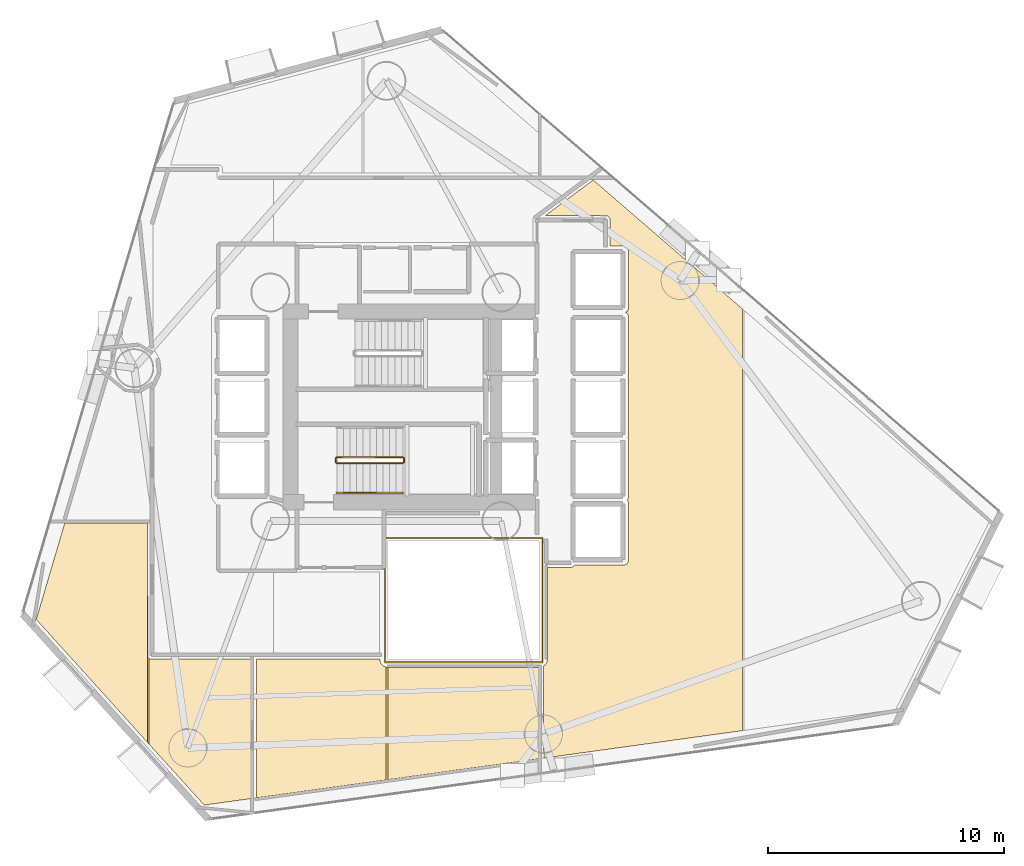
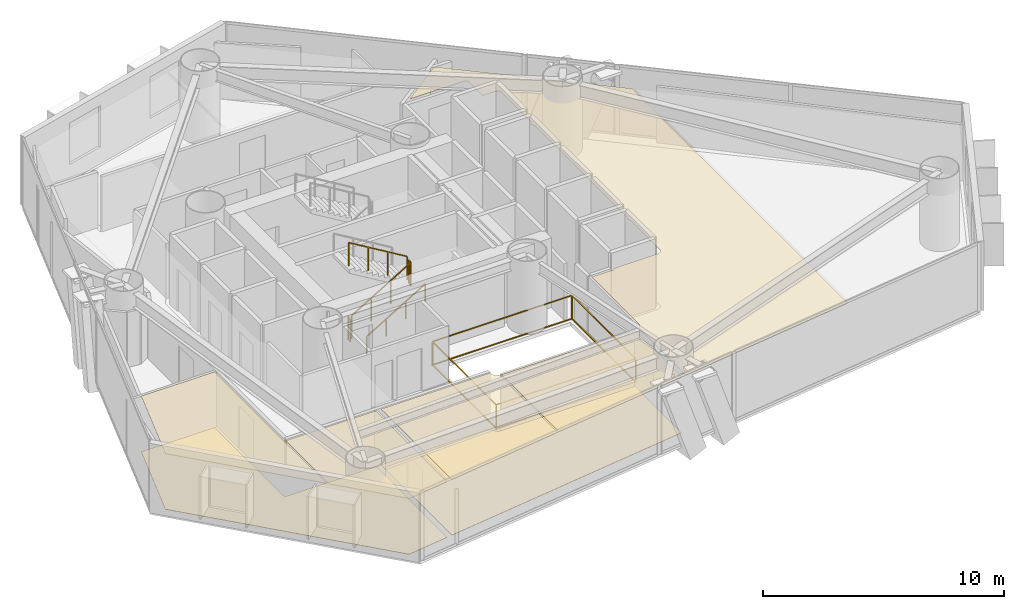
# One storey, part 20 of 23: 7 coverings, 6 railings.
"""IFC4 building model written with IfcOpenShell, lengths in metres."""

from ifc_helpers import new_model, si_unit, direction, frame, origin, origin_2d, place, context, subcontext, project, spatial, polyline, rectangle, outline, extrude, material, layer, layer_set, type_object, element, save


model = new_model("IFC4")

# Units and contexts
model_context = context("Model", 3, precision=1e-05, world=origin(), true_north=direction((0.0, 1.0)))
body_context = subcontext(model_context, "Body", "Model", "MODEL_VIEW")
ifc_project = project(units=[si_unit("LENGTHUNIT", "METRE"), si_unit("AREAUNIT", "SQUARE_METRE"), si_unit("VOLUMEUNIT", "CUBIC_METRE"), si_unit("PLANEANGLEUNIT", "RADIAN"), si_unit("MASSUNIT", "GRAM", prefix="KILO")], contexts=[model_context])

# Site, building, storey
site_placement = place(None, origin())
site = spatial("IfcSite", under=ifc_project, at=site_placement, CompositionType="ELEMENT")
building_placement = place(site_placement, origin())
building = spatial("IfcBuilding", under=site, at=building_placement, Name="Qianvela Tower", CompositionType="ELEMENT")
storey_placement = place(building_placement, frame((0.0, 0.0, 74.699951171875)))
storey = spatial("IfcBuildingStorey", under=building, at=storey_placement, Name="L18", CompositionType="ELEMENT", Elevation=74.699951171875)

# Coverings
ifc_material_1 = material(Name="Perforated Mineral Acoustic Ceiling Tile")
ifc_layer_1 = layer(ifc_material_1, 0.02490234375)
ifc_layer_set_1 = layer_set([ifc_layer_1], Name="Perforated Mineral Acoustic Ceiling Tile")
covering_type_1 = type_object("IfcCoveringType", Name="COV-CEIL-ACOUSTIC-25", PredefinedType="CEILING", material=ifc_layer_set_1)
covering_1_placement = place(storey_placement, frame((0.0, 0.0, 2.81494140625)))
element("IfcCovering", 1, at=covering_1_placement, inside=storey, type_object=covering_type_1, Name="L18 Acoustic Ceiling Bay 1 Tutorial Breakout Seminar L18-01", PredefinedType="CEILING", context=body_context, shape_type="SweptSolid", body=[
    extrude(outline(polyline([(23.381103515625, 23.778076171875), (23.381103515625, 14.468994140625), (18.668701171875, 19.67822265625), (19.881591796875, 23.778076171875), (23.381103515625, 23.778076171875)])), origin(), (0.0, 0.0, 1.0), 0.025146484375),
])
covering_2_placement = place(storey_placement, frame((0.0, 0.0, 2.81494140625)))
element("IfcCovering", 2, at=covering_2_placement, inside=storey, type_object=covering_type_1, Name="L18 Acoustic Ceiling Bay 2 Tutorial Breakout Seminar L18-01", PredefinedType="CEILING", context=body_context, shape_type="SweptSolid", body=[
    extrude(outline(polyline([(23.515869140625, 17.997802734375), (23.52392578125, 17.994384765625), (23.532470703125, 17.991943359375), (23.541259765625, 17.990478515625), (23.550048828125, 17.989990234375), (27.778076171875, 17.989990234375), (27.778076171875, 12.077392578125), (25.793212890625, 11.802978515625), (23.461181640625, 14.380615234375), (23.461181640625, 18.023681640625), (23.515869140625, 17.997802734375)])), origin(), (0.0, 0.0, 1.0), 0.025146484375),
])
covering_3_placement = place(storey_placement, frame((0.0, 0.0, 2.81494140625)))
element("IfcCovering", 3, at=covering_3_placement, inside=storey, type_object=covering_type_1, Name="L18 Acoustic Ceiling Bay 1 Project Huddle Conference L18-02", PredefinedType="CEILING", context=body_context, shape_type="SweptSolid", body=[
    extrude(outline(polyline([(33.24609375, 17.93505859375), (33.247314453125, 17.927978515625), (33.2490234375, 17.92138671875), (33.25146484375, 17.914794921875), (33.293212890625, 17.813720703125), (33.296630859375, 17.806640625), (33.30078125, 17.800048828125), (33.305419921875, 17.793701171875), (33.310546875, 17.787841796875), (33.387939453125, 17.710693359375), (33.39306640625, 17.705810546875), (33.398681640625, 17.70166015625), (33.40478515625, 17.69775390625), (33.410888671875, 17.694580078125), (33.41748046875, 17.69189453125), (33.51611328125, 17.656494140625), (33.51611328125, 12.870849609375), (28.02197265625, 12.111083984375), (28.02197265625, 17.989990234375), (33.243408203125, 17.989990234375), (33.24560546875, 17.94189453125), (33.24609375, 17.93505859375)])), origin(), (0.0, 0.0, 1.0), 0.025146484375),
])
covering_4_placement = place(storey_placement, frame((0.0, 0.0, 2.81494140625)))
element("IfcCovering", 4, at=covering_4_placement, inside=storey, type_object=covering_type_1, Name="L18 Acoustic Ceiling Bay 2 Project Huddle Conference L18-02", PredefinedType="CEILING", context=body_context, shape_type="SweptSolid", body=[
    extrude(outline(polyline([(39.97802734375, 17.646240234375), (39.97802734375, 13.764404296875), (33.59619140625, 12.8818359375), (33.59619140625, 17.641357421875), (39.97802734375, 17.646240234375)])), origin(), (0.0, 0.0, 1.0), 0.025146484375),
])
covering_5_placement = place(storey_placement, frame((0.0, 0.0, 2.81494140625)))
element("IfcCovering", 5, at=covering_5_placement, inside=storey, type_object=covering_type_1, Name="L18 Acoustic Ceiling Bay 1 Debate Lecture Classroom L18-03", PredefinedType="CEILING", context=body_context, shape_type="SweptSolid", body=[
    extrude(outline(polyline([(42.298095703125, 38.3212890625), (48.623779296875, 32.8544921875), (48.623779296875, 14.9599609375), (40.199951171875, 13.795166015625), (40.1962890625, 17.70458984375), (40.242431640625, 17.735595703125), (40.248779296875, 17.740234375), (40.254638671875, 17.745361328125), (40.259765625, 17.751220703125), (40.264404296875, 17.757568359375), (40.3251953125, 17.848388671875), (40.3291015625, 17.85498046875), (40.33251953125, 17.8623046875), (40.335205078125, 17.86962890625), (40.337158203125, 17.877197265625), (40.3583984375, 17.984375), (40.359619140625, 17.9921875), (40.360107421875, 18.0), (40.360107421875, 21.889892578125), (41.367919921875, 21.890380859375), (41.375732421875, 21.890869140625), (41.383544921875, 21.891845703125), (41.39111328125, 21.893798828125), (41.3984375, 21.896484375), (41.405517578125, 21.89990234375), (41.45947265625, 21.9287109375), (41.46630859375, 21.932861328125), (41.472900390625, 21.9375), (41.478759765625, 21.943115234375), (41.48388671875, 21.948974609375), (41.48876953125, 21.955322265625), (41.492919921875, 21.96240234375), (41.49609375, 21.969482421875), (41.498779296875, 21.97705078125), (41.49951171875, 21.97998046875), (43.59375, 21.980712890625), (43.6015625, 21.981201171875), (43.609375, 21.982177734375), (43.616943359375, 21.984130859375), (43.624267578125, 21.98681640625), (43.699462890625, 22.017822265625), (43.70703125, 22.021484375), (43.71435546875, 22.02587890625), (43.72119140625, 22.03125), (43.727294921875, 22.037109375), (43.732666015625, 22.043701171875), (43.7373046875, 22.05078125), (43.785888671875, 22.131591796875), (43.7900390625, 22.13916015625), (43.793212890625, 22.147216796875), (43.79541015625, 22.155517578125), (43.796875, 22.1640625), (43.79736328125, 22.172607421875), (43.800048828125, 24.599853515625), (43.7998046875, 24.606689453125), (43.798828125, 24.613525390625), (43.79736328125, 24.620361328125), (43.79541015625, 24.626953125), (43.763427734375, 24.7158203125), (43.760498046875, 24.722900390625), (43.7568359375, 24.72998046875), (43.75244140625, 24.736572265625), (43.74755859375, 24.742431640625), (43.741943359375, 24.748046875), (43.73779296875, 24.75146484375), (43.785888671875, 24.83154296875), (43.7900390625, 24.839111328125), (43.793212890625, 24.84716796875), (43.79541015625, 24.85546875), (43.796875, 24.864013671875), (43.79736328125, 24.87255859375), (43.800048828125, 27.2998046875), (43.799560546875, 27.307861328125), (43.79833984375, 27.31591796875), (43.79638671875, 27.323486328125), (43.793701171875, 27.3310546875), (43.7646484375, 27.39990234375), (43.793701171875, 27.468994140625), (43.79638671875, 27.476318359375), (43.79833984375, 27.484130859375), (43.799560546875, 27.491943359375), (43.800048828125, 27.5), (43.800048828125, 29.89990234375), (43.799560546875, 29.907958984375), (43.79833984375, 29.915771484375), (43.79638671875, 29.923583984375), (43.793701171875, 29.93115234375), (43.7646484375, 30.0), (43.793701171875, 30.06884765625), (43.79638671875, 30.076416015625), (43.79833984375, 30.084228515625), (43.799560546875, 30.09228515625), (43.800048828125, 30.10009765625), (43.7939453125, 32.540771484375), (43.793701171875, 32.548583984375), (43.79248046875, 32.556396484375), (43.79052734375, 32.56396484375), (43.787841796875, 32.5712890625), (43.784423828125, 32.578369140625), (43.780517578125, 32.585205078125), (43.7353515625, 32.652587890625), (43.73095703125, 32.658447265625), (43.726318359375, 32.6640625), (43.720947265625, 32.6689453125), (43.715087890625, 32.673583984375), (43.708984375, 32.677490234375), (43.702392578125, 32.680908203125), (43.69580078125, 32.68359375), (43.644287109375, 32.701904296875), (43.722412109375, 32.739013671875), (43.729248046875, 32.74267578125), (43.73583984375, 32.746826171875), (43.741943359375, 32.751953125), (43.74755859375, 32.757568359375), (43.75244140625, 32.763427734375), (43.7568359375, 32.77001953125), (43.760498046875, 32.777099609375), (43.763427734375, 32.7841796875), (43.79541015625, 32.873046875), (43.7978515625, 32.8818359375), (43.799560546875, 32.890869140625), (43.800048828125, 32.89990234375), (43.800048828125, 35.300048828125), (43.799560546875, 35.30908203125), (43.7978515625, 35.318115234375), (43.79541015625, 35.326904296875), (43.763427734375, 35.415771484375), (43.760498046875, 35.423095703125), (43.7568359375, 35.429931640625), (43.75244140625, 35.4365234375), (43.74755859375, 35.4423828125), (43.741943359375, 35.447998046875), (43.73583984375, 35.453125), (43.729248046875, 35.45751953125), (43.6484375, 35.505859375), (43.640869140625, 35.510009765625), (43.6328125, 35.51318359375), (43.62451171875, 35.515380859375), (43.6162109375, 35.516845703125), (43.607666015625, 35.517333984375), (43.0, 35.519775390625), (43.010009765625, 36.6494140625), (43.009765625, 36.6572265625), (43.008544921875, 36.6650390625), (43.006591796875, 36.6728515625), (43.00390625, 36.680419921875), (43.00048828125, 36.6875), (42.99658203125, 36.6943359375), (42.947021484375, 36.768310546875), (42.9423828125, 36.774658203125), (42.937255859375, 36.780517578125), (42.931396484375, 36.78564453125), (42.925048828125, 36.790283203125), (42.91845703125, 36.79443359375), (42.911376953125, 36.7978515625), (42.904052734375, 36.80029296875), (42.896484375, 36.80224609375), (42.888671875, 36.803466796875), (42.880859375, 36.803955078125), (40.2626953125, 36.809814453125), (42.298095703125, 38.3212890625)])), origin(), (0.0, 0.0, 1.0), 0.025146484375),
])
ifc_material_2 = material(Name="Engineered Acoustic Oak Timber Flooring", Category="wood")
ifc_layer_2 = layer(ifc_material_2, 0.02001953125)
ifc_layer_set_2 = layer_set([ifc_layer_2], Name="Engineered Acoustic Oak Timber Flooring")
covering_type_2 = type_object("IfcCoveringType", Name="COV-FLOOR-OAK-20", PredefinedType="FLOORING", material=ifc_layer_set_2)
covering_6_placement = place(storey_placement, origin())
element("IfcCovering", 6, at=covering_6_placement, inside=storey, type_object=covering_type_2, Name="L18 Finish Flooring Tutorial Breakout Seminar L18-01", PredefinedType="FLOORING", context=body_context, shape_type="SweptSolid", body=[
    extrude(outline(polyline([(19.881591796875, 23.778076171875), (23.390380859375, 23.778076171875), (23.408203125, 18.09912109375), (23.40869140625, 18.0908203125), (23.409912109375, 18.082763671875), (23.412109375, 18.07470703125), (23.414794921875, 18.067138671875), (23.41845703125, 18.059814453125), (23.4228515625, 18.052978515625), (23.427978515625, 18.04638671875), (23.43359375, 18.040771484375), (23.43994140625, 18.035400390625), (23.44677734375, 18.03076171875), (23.4541015625, 18.02685546875), (23.515869140625, 17.997802734375), (23.52392578125, 17.994384765625), (23.532470703125, 17.991943359375), (23.541259765625, 17.990478515625), (23.550048828125, 17.989990234375), (27.778076171875, 17.989990234375), (27.778076171875, 12.077392578125), (25.793212890625, 11.802978515625), (18.668701171875, 19.67822265625), (19.881591796875, 23.778076171875)])), origin(), (0.0, 0.0, 1.0), 0.02001953125),
])
covering_7_placement = place(storey_placement, origin())
element("IfcCovering", 7, at=covering_7_placement, inside=storey, type_object=covering_type_2, Name="L18 Finish Flooring Project Huddle Conference L18-02", PredefinedType="FLOORING", context=body_context, shape_type="SweptSolid", body=[
    extrude(outline(polyline([(33.24560546875, 17.94189453125), (33.24609375, 17.93505859375), (33.247314453125, 17.927978515625), (33.2490234375, 17.92138671875), (33.25146484375, 17.914794921875), (33.293212890625, 17.813720703125), (33.296630859375, 17.806640625), (33.30078125, 17.800048828125), (33.305419921875, 17.793701171875), (33.310546875, 17.787841796875), (33.387939453125, 17.710693359375), (33.39306640625, 17.705810546875), (33.398681640625, 17.70166015625), (33.40478515625, 17.69775390625), (33.410888671875, 17.694580078125), (33.41748046875, 17.69189453125), (33.545654296875, 17.64599609375), (33.55224609375, 17.64404296875), (33.558837890625, 17.642578125), (33.565673828125, 17.6416015625), (33.572509765625, 17.641357421875), (39.97802734375, 17.646240234375), (39.97802734375, 13.764404296875), (28.02197265625, 12.111083984375), (28.02197265625, 17.989990234375), (33.243408203125, 17.989990234375), (33.24560546875, 17.94189453125)])), origin(), (0.0, 0.0, 1.0), 0.02001953125),
])

# Railings
ifc_material_3 = material(Name="Laminated Safety Glass and Stainless Steel 316", Category="steel")
railing_type_1 = type_object("IfcRailingType", Name="RL-ATRIUM-GUARD-1250", PredefinedType="GUARDRAIL", material=ifc_material_3)
railing_1_placement = place(storey_placement, frame((33.4599609375, 17.860107421875, 0.0)))
element("IfcRailing", 8, at=railing_1_placement, inside=storey, type_object=railing_type_1, Name="L18 Atrium Edge Guardrail 1", PredefinedType="GUARDRAIL", context=body_context, shape_type="SweptSolid", body=[
    extrude(rectangle(XDim=0.050048828125, YDim=0.0400390625, at=origin_2d()), frame((0.0, 0.0, 1.22998046875), z_axis=(0.0, 1.0, 0.0), x_axis=(-1.0, 0.0, 0.0)), (0.0, 0.0, 1.0), 5.27978515625),
    extrude(rectangle(XDim=0.050048828125, YDim=0.0400390625, at=origin_2d()), frame((0.0, 0.0, 0.050048828125), z_axis=(0.0, 1.0, 0.0), x_axis=(-1.0, 0.0, 0.0)), (0.0, 0.0, 1.0), 5.27978515625),
    extrude(rectangle(XDim=0.050048828125, YDim=0.0400390625, at=origin_2d()), frame((0.0, 5.27978515625, 1.22998046875), z_axis=(1.0, 0.0, 0.0), x_axis=(0.0, 1.0, 0.0)), (0.0, 0.0, 1.0), 6.679931640625),
    extrude(rectangle(XDim=0.050048828125, YDim=0.0400390625, at=origin_2d()), frame((0.0, 5.27978515625, 0.050048828125), z_axis=(1.0, 0.0, 0.0), x_axis=(0.0, 1.0, 0.0)), (0.0, 0.0, 1.0), 6.679931640625),
    extrude(rectangle(XDim=0.050048828125, YDim=0.0400390625, at=origin_2d()), frame((6.679931640625, 5.27978515625, 1.22998046875), z_axis=(0.0, -1.0, 0.0), x_axis=(1.0, 0.0, 0.0)), (0.0, 0.0, 1.0), 5.27978515625),
    extrude(rectangle(XDim=0.050048828125, YDim=0.0400390625, at=origin_2d()), frame((6.679931640625, 5.27978515625, 0.050048828125), z_axis=(0.0, -1.0, 0.0), x_axis=(1.0, 0.0, 0.0)), (0.0, 0.0, 1.0), 5.27978515625),
    extrude(rectangle(XDim=0.050048828125, YDim=0.0400390625, at=origin_2d()), frame((6.679931640625, 0.0, 1.22998046875), z_axis=(-1.0, 0.0, 0.0), x_axis=(0.0, -1.0, 0.0)), (0.0, 0.0, 1.0), 6.679931640625),
    extrude(rectangle(XDim=0.050048828125, YDim=0.0400390625, at=origin_2d()), frame((6.679931640625, 0.0, 0.050048828125), z_axis=(-1.0, 0.0, 0.0), x_axis=(0.0, -1.0, 0.0)), (0.0, 0.0, 1.0), 6.679931640625),
    extrude(rectangle(XDim=0.050048828125, YDim=0.050048828125, at=origin_2d()), origin(), (0.0, 0.0, 1.0), 1.2099609375),
    extrude(rectangle(XDim=0.050048828125, YDim=0.050048828125, at=origin_2d()), frame((0.0, 5.27978515625, 0.0)), (0.0, 0.0, 1.0), 1.2099609375),
    extrude(rectangle(XDim=0.050048828125, YDim=0.050048828125, at=origin_2d()), frame((6.679931640625, 5.27978515625, 0.0)), (0.0, 0.0, 1.0), 1.2099609375),
    extrude(rectangle(XDim=0.050048828125, YDim=0.050048828125, at=origin_2d()), frame((6.679931640625, 0.0, 0.0)), (0.0, 0.0, 1.0), 1.2099609375),
])
ifc_material_4 = material(Name="Painted Tubular Steel Q355B", Category="steel")
railing_type_2 = type_object("IfcRailingType", Name="RL-STAIR-GUARD-1200", PredefinedType="GUARDRAIL", material=ifc_material_4)
railing_2_placement = place(storey_placement, frame((31.419921875, 26.300048828125, 0.168212890625)))
element("IfcRailing", 9, at=railing_2_placement, inside=storey, type_object=railing_type_2, Name="L18 ST-2 stair guard 1", PredefinedType="GUARDRAIL", context=body_context, shape_type="SweptSolid", body=[
    extrude(rectangle(XDim=0.050048828125, YDim=0.0400390625, at=origin_2d()), frame((0.0, 0.0, 1.179931640625), z_axis=(0.857242210791, 0.0, 0.514913383045), x_axis=(0.0, 1.0, 0.0)), (0.0, 0.0, 1.0), 3.266357421875),
    extrude(rectangle(XDim=0.050048828125, YDim=0.050048828125, at=origin_2d()), origin(), (0.0, 0.0, 1.0), 1.159912109375),
    extrude(rectangle(XDim=0.050048828125, YDim=0.050048828125, at=origin_2d()), frame((0.933349609375, 0.0, 0.560546875)), (0.0, 0.0, 1.0), 1.159912109375),
    extrude(rectangle(XDim=0.050048828125, YDim=0.050048828125, at=origin_2d()), frame((1.86669921875, 0.0, 1.121337890625)), (0.0, 0.0, 1.0), 1.159912109375),
    extrude(rectangle(XDim=0.050048828125, YDim=0.050048828125, at=origin_2d()), frame((2.800048828125, 0.0, 1.681884765625)), (0.0, 0.0, 1.0), 1.159912109375),
])
railing_3_placement = place(storey_placement, frame((34.27001953125, 26.35009765625, 1.85009765625)))
element("IfcRailing", 10, at=railing_3_placement, inside=storey, type_object=railing_type_2, Name="L18 ST-2 stair guard 2", PredefinedType="GUARDRAIL", context=body_context, shape_type="SweptSolid", body=[
    extrude(rectangle(XDim=0.050048828125, YDim=0.0400390625, at=origin_2d()), frame((0.0, 0.0, 1.179931640625), z_axis=(0.0, 1.0, 0.0), x_axis=(-1.0, 0.0, 0.0)), (0.0, 0.0, 1.0), 0.159912109375),
    extrude(rectangle(XDim=0.050048828125, YDim=0.050048828125, at=origin_2d()), origin(), (0.0, 0.0, 1.0), 1.159912109375),
    extrude(rectangle(XDim=0.050048828125, YDim=0.050048828125, at=origin_2d()), frame((0.0, 0.159912109375, 0.0)), (0.0, 0.0, 1.0), 1.159912109375),
])
railing_4_placement = place(storey_placement, frame((34.219970703125, 26.56005859375, 2.018310546875)))
element("IfcRailing", 11, at=railing_4_placement, inside=storey, type_object=railing_type_2, Name="L18 ST-2 stair guard 3", PredefinedType="GUARDRAIL", context=body_context, shape_type="SweptSolid", body=[
    extrude(rectangle(XDim=0.050048828125, YDim=0.0400390625, at=origin_2d()), frame((0.0, 0.0, 1.179931640625), z_axis=(-0.857275202839, 0.0, 0.514858452973), x_axis=(0.0, -1.0, 0.0)), (0.0, 0.0, 1.0), 3.26611328125),
    extrude(rectangle(XDim=0.050048828125, YDim=0.050048828125, at=origin_2d()), origin(), (0.0, 0.0, 1.0), 1.159912109375),
    extrude(rectangle(XDim=0.050048828125, YDim=0.050048828125, at=origin_2d()), frame((-0.933349609375, 0.0, 0.560546875)), (0.0, 0.0, 1.0), 1.159912109375),
    extrude(rectangle(XDim=0.050048828125, YDim=0.050048828125, at=origin_2d()), frame((-1.86669921875, 0.0, 1.12109375)), (0.0, 0.0, 1.0), 1.159912109375),
    extrude(rectangle(XDim=0.050048828125, YDim=0.050048828125, at=origin_2d()), frame((-2.800048828125, 0.0, 1.681640625)), (0.0, 0.0, 1.0), 1.159912109375),
])
railing_5_placement = place(storey_placement, frame((31.3701171875, 26.35009765625, 0.0)))
element("IfcRailing", 12, at=railing_5_placement, inside=storey, type_object=railing_type_2, Name="L18 ST-2 stair guard 4", PredefinedType="GUARDRAIL", context=body_context, shape_type="SweptSolid", body=[
    extrude(rectangle(XDim=0.050048828125, YDim=0.0400390625, at=origin_2d()), frame((0.0, 0.0, 1.179931640625), z_axis=(0.0, 1.0, 0.0), x_axis=(-1.0, 0.0, 0.0)), (0.0, 0.0, 1.0), 0.159912109375),
    extrude(rectangle(XDim=0.050048828125, YDim=0.050048828125, at=origin_2d()), origin(), (0.0, 0.0, 1.0), 1.159912109375),
    extrude(rectangle(XDim=0.050048828125, YDim=0.050048828125, at=origin_2d()), frame((0.0, 0.159912109375, 0.0)), (0.0, 0.0, 1.0), 1.159912109375),
])
ifc_material_5 = material(Name="Brushed Stainless Steel 304", Category="steel")
railing_type_3 = type_object("IfcRailingType", Name="RL-STAIR-HANDRAIL-900", PredefinedType="HANDRAIL", material=ifc_material_5)
railing_6_placement = place(storey_placement, frame((31.419921875, 25.050048828125, 0.168212890625)))
element("IfcRailing", 13, at=railing_6_placement, inside=storey, type_object=railing_type_3, Name="L18 ST-2 stair handrail 1", PredefinedType="HANDRAIL", context=body_context, shape_type="SweptSolid", body=[
    extrude(rectangle(XDim=0.050048828125, YDim=0.0400390625, at=origin_2d()), frame((0.0, 0.0, 0.8798828125), z_axis=(0.857242210791, 0.0, 0.514913383045), x_axis=(0.0, 1.0, 0.0)), (0.0, 0.0, 1.0), 3.266357421875),
    extrude(rectangle(XDim=0.050048828125, YDim=0.050048828125, at=origin_2d()), origin(), (0.0, 0.0, 1.0), 0.85986328125),
    extrude(rectangle(XDim=0.050048828125, YDim=0.050048828125, at=origin_2d()), frame((0.933349609375, 0.0, 0.560546875)), (0.0, 0.0, 1.0), 0.85986328125),
    extrude(rectangle(XDim=0.050048828125, YDim=0.050048828125, at=origin_2d()), frame((1.86669921875, 0.0, 1.121337890625)), (0.0, 0.0, 1.0), 0.85986328125),
    extrude(rectangle(XDim=0.050048828125, YDim=0.050048828125, at=origin_2d()), frame((2.800048828125, 0.0, 1.681884765625)), (0.0, 0.0, 1.0), 0.85986328125),
])

save(model, "model.ifc")
